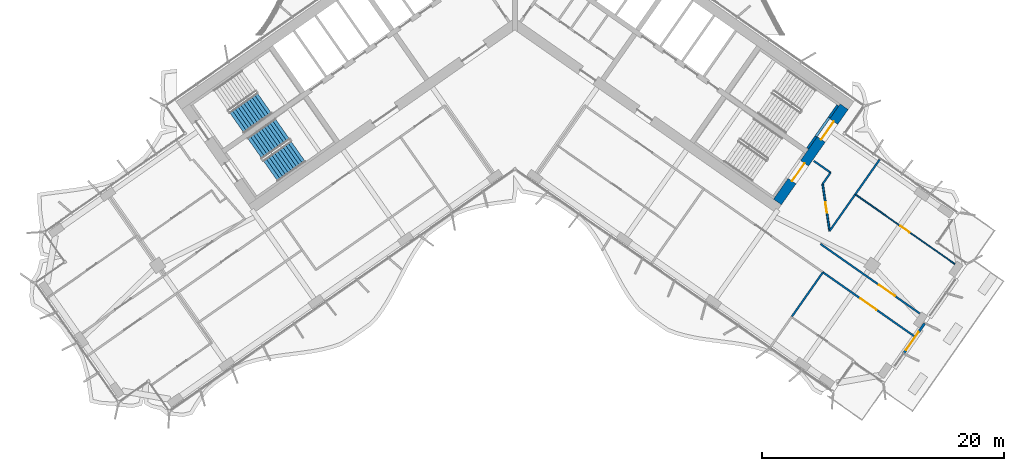
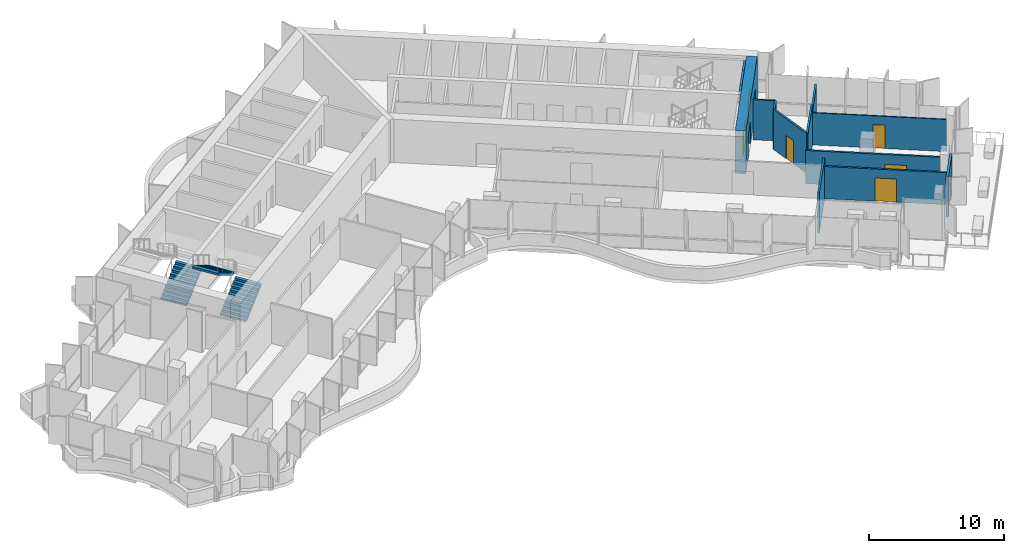
# One storey, part 15 of 22: 14 walls, 7 doors, 3 stair flights, 7 openings, 2 elements without a shape of their own.
"""IFC4 building model written with IfcOpenShell, lengths in metres."""

from ifc_helpers import new_model, si_unit, direction, frame, frame_2d, origin, place, context, subcontext, project, spatial, polyline, rectangle, outline, extrude, material, layer, layer_set, type_object, element, fill, aggregate, save


model = new_model("IFC4")

# Units and contexts
model_context = context("Model", 3, precision=1e-05, world=origin(), true_north=direction((0.0, 1.0)))
body_context = subcontext(model_context, "Body", "Model", "MODEL_VIEW")
ifc_project = project(units=[si_unit("LENGTHUNIT", "METRE"), si_unit("AREAUNIT", "SQUARE_METRE"), si_unit("VOLUMEUNIT", "CUBIC_METRE"), si_unit("PLANEANGLEUNIT", "RADIAN"), si_unit("MASSUNIT", "GRAM", prefix="KILO")], contexts=[model_context])

# Site, building, storey
site_placement = place(None, origin())
site = spatial("IfcSite", under=ifc_project, at=site_placement, CompositionType="ELEMENT")
building_placement = place(site_placement, origin())
building = spatial("IfcBuilding", under=site, at=building_placement, Name="Tel Ilan Convention Tower", CompositionType="ELEMENT")
storey_placement = place(building_placement, frame((0.0, 0.0, 143.699951171875)))
storey = spatial("IfcBuildingStorey", under=building, at=storey_placement, Name="L32", CompositionType="ELEMENT", Elevation=143.699951171875)

# Wall, openings, doors
ifc_material_1 = material(Name="Concrete C50/60", Category="concrete")
ifc_layer_1 = layer(ifc_material_1, 0.800048828125)
ifc_layer_set_1 = layer_set([ifc_layer_1], Name="Core Shear Wall 800 mm C50/60")
wall_type_1 = type_object("IfcWallType", Name="Core Shear Wall 800 mm C50/60", PredefinedType="SHEAR", material=ifc_layer_set_1)
wall_1_placement = place(storey_placement, frame((21.6748046875, -15.4208984375, 0.0), z_axis=(0.0, 0.0, 1.0), x_axis=(0.573581815061, 0.819148278049, 0.0)))
wall_1 = element("IfcWall", 1, at=wall_1_placement, inside=storey, type_object=wall_type_1, Name="L32 core wall E-end", PredefinedType="SHEAR", context=body_context, shape_type="SweptSolid", body=[
    extrude(outline(polyline([(9.599853515625, 0.400146484375), (0.0, 0.39990234375), (0.0, -0.39990234375), (9.599853515625, -0.39990234375), (9.599853515625, 0.400146484375)])), origin(), (0.0, 0.0, 1.0), 3.900146484375),
])
opening_1_placement = place(wall_1_placement, frame((6.300048828125, 0.0, 0.0)))
opening_1 = element("IfcOpeningElement", 2, at=opening_1_placement, cuts=wall_1, Name="Opening SD2603", PredefinedType="OPENING", context=body_context, shape_type="SweptSolid", body=[
    extrude(rectangle(XDim=1.800048828125, YDim=2.10009765625, at=frame_2d((0.89990234375, 1.050048828125))), frame((0.0, 0.409912109375, 0.0), z_axis=(0.0, -1.0, 0.0), x_axis=(1.0, 0.0, 0.0)), (0.0, 0.0, 1.0), 0.820068359375),
])
opening_2_placement = place(wall_1_placement, frame((2.10009765625, 0.0, 0.0)))
opening_2 = element("IfcOpeningElement", 3, at=opening_2_placement, cuts=wall_1, Name="Opening SD2604", PredefinedType="OPENING", context=body_context, shape_type="SweptSolid", body=[
    extrude(rectangle(XDim=1.800048828125, YDim=2.10009765625, at=frame_2d((0.89990234375, 1.050048828125))), frame((0.0, 0.409912109375, 0.0), z_axis=(0.0, -1.0, 0.0), x_axis=(1.0, 0.0, 0.0)), (0.0, 0.0, 1.0), 0.820068359375),
])
ifc_material_2 = material(Name="Galvanised Steel Door Leaf", Category="steel")
door_type_1 = type_object("IfcDoorType", Name="Stair Fire Door 1800 x 2100 FD60S", OperationType="NOTDEFINED", PredefinedType="DOOR", material=ifc_material_2)
door_1_placement = place(opening_1_placement, origin())
door_1 = element("IfcDoor", 4, at=door_1_placement, inside=storey, type_object=door_type_1, Name="Stair S3 door", OperationType="DOUBLE_DOOR_SINGLE_SWING", OverallHeight=2.10009765625, OverallWidth=1.800048828125, PredefinedType="DOOR", context=body_context, shape_type="SweptSolid", body=[
    extrude(rectangle(XDim=1.800048828125, YDim=2.10009765625, at=frame_2d((0.89990234375, 1.050048828125))), frame((0.0, 0.02490234375, 0.0), z_axis=(0.0, -1.0, 0.0), x_axis=(1.0, 0.0, 0.0)), (0.0, 0.0, 1.0), 0.050048828125),
])
fill(opening_1, door_1)
door_2_placement = place(opening_2_placement, origin())
door_2 = element("IfcDoor", 5, at=door_2_placement, inside=storey, type_object=door_type_1, Name="Stair S4 door", OperationType="DOUBLE_DOOR_SINGLE_SWING", OverallHeight=2.10009765625, OverallWidth=1.800048828125, PredefinedType="DOOR", context=body_context, shape_type="SweptSolid", body=[
    extrude(rectangle(XDim=1.800048828125, YDim=2.10009765625, at=frame_2d((0.89990234375, 1.050048828125))), frame((0.0, 0.02490234375, 0.0), z_axis=(0.0, -1.0, 0.0), x_axis=(1.0, 0.0, 0.0)), (0.0, 0.0, 1.0), 0.050048828125),
])
fill(opening_2, door_2)

# Wall, opening, door
ifc_material_3 = material(Name="Plasterboard on Steel Studs", Category="steel")
ifc_layer_2 = layer(ifc_material_3, 0.14990234375)
ifc_layer_set_2 = layer_set([ifc_layer_2], Name="Fire-rated Partition 150 EI 60")
wall_type_2 = type_object("IfcWallType", Name="Fire-rated Partition 150 EI 60", PredefinedType="PARTITIONING", material=ifc_layer_set_2)
wall_2_placement = place(storey_placement, frame((25.22802734375, -18.8857421875, 0.0), z_axis=(0.0, 0.0, 1.0), x_axis=(0.819155080891, -0.573572099609, 0.0)))
wall_2 = element("IfcWall", 6, at=wall_2_placement, inside=storey, type_object=wall_type_2, Name="Partition 001", PredefinedType="PARTITIONING", context=body_context, shape_type="SweptSolid", body=[
    extrude(rectangle(XDim=10.001953125, YDim=0.14990234375, at=frame_2d((5.0009765625, 0.0))), origin(), (0.0, 0.0, 1.0), 3.0),
])
opening_3_placement = place(wall_2_placement, frame((5.90087890625, 0.0, 0.0)))
opening_3 = element("IfcOpeningElement", 7, at=opening_3_placement, cuts=wall_2, Name="Opening L32-015", PredefinedType="OPENING", context=body_context, shape_type="SweptSolid", body=[
    extrude(rectangle(XDim=1.60009765625, YDim=2.10009765625, at=frame_2d((0.800048828125, 1.050048828125))), frame((0.0, 0.0849609375, 0.0), z_axis=(0.0, -1.0, 0.0), x_axis=(1.0, 0.0, 0.0)), (0.0, 0.0, 1.0), 0.169921875),
])
ifc_material_4 = material(Name="Timber Door Leaf in Steel Frame", Category="steel")
door_type_2 = type_object("IfcDoorType", Name="Tenant Suite Entrance Fire Door 1600x2100", OperationType="NOTDEFINED", PredefinedType="DOOR", material=ifc_material_4)
door_3_placement = place(opening_3_placement, origin())
door_3 = element("IfcDoor", 8, at=door_3_placement, inside=storey, type_object=door_type_2, Name="Door L32-015", OperationType="DOUBLE_DOOR_SINGLE_SWING", OverallHeight=2.10009765625, OverallWidth=1.60009765625, PredefinedType="DOOR", context=body_context, shape_type="SweptSolid", body=[
    extrude(rectangle(XDim=1.60009765625, YDim=2.10009765625, at=frame_2d((0.800048828125, 1.050048828125))), frame((0.0, 0.02490234375, 0.0), z_axis=(0.0, -1.0, 0.0), x_axis=(1.0, 0.0, 0.0)), (0.0, 0.0, 1.0), 0.050048828125),
])
fill(opening_3, door_3)

wall_3_placement = place(storey_placement, frame((32.962158203125, -26.49853515625, 0.0), z_axis=(0.0, 0.0, 1.0), x_axis=(-0.81915089424, 0.573578078788, 0.0)))
wall_3 = element("IfcWall", 9, at=wall_3_placement, inside=storey, type_object=wall_type_2, Name="Partition 004", PredefinedType="PARTITIONING", context=body_context, shape_type="SweptSolid", body=[
    extrude(rectangle(XDim=9.201904296875, YDim=0.14990234375, at=frame_2d((4.60107421875, 0.0))), origin(), (0.0, 0.0, 1.0), 2.900146484375),
])
opening_4_placement = place(wall_3_placement, frame((3.801025390625, 0.0, 0.0)))
opening_4 = element("IfcOpeningElement", 10, at=opening_4_placement, cuts=wall_3, Name="Opening L32-013", PredefinedType="OPENING", context=body_context, shape_type="SweptSolid", body=[
    extrude(rectangle(XDim=1.60009765625, YDim=2.10009765625, at=frame_2d((0.800048828125, 1.050048828125))), frame((0.0, 0.0849609375, 0.0), z_axis=(0.0, -1.0, 0.0), x_axis=(1.0, 0.0, 0.0)), (0.0, 0.0, 1.0), 0.169921875),
])
door_4_placement = place(opening_4_placement, origin())
door_4 = element("IfcDoor", 11, at=door_4_placement, inside=storey, type_object=door_type_2, Name="Door L32-013", OperationType="DOUBLE_DOOR_SINGLE_SWING", OverallHeight=2.10009765625, OverallWidth=1.60009765625, PredefinedType="DOOR", context=body_context, shape_type="SweptSolid", body=[
    extrude(rectangle(XDim=1.60009765625, YDim=2.10009765625, at=frame_2d((0.800048828125, 1.050048828125))), frame((0.0, 0.02490234375, 0.0), z_axis=(0.0, -1.0, 0.0), x_axis=(1.0, 0.0, 0.0)), (0.0, 0.0, 1.0), 0.050048828125),
])
fill(opening_4, door_4)

# Walls
wall_4_placement = place(storey_placement, frame((30.10498046875, -11.924072265625, 0.0), z_axis=(0.0, 0.0, 1.0), x_axis=(-0.573560622794, -0.819163116834, 0.0)))
element("IfcWall", 12, at=wall_4_placement, inside=storey, type_object=wall_type_2, Name="Partition 011", PredefinedType="PARTITIONING", context=body_context, shape_type="SweptSolid", body=[
    extrude(rectangle(XDim=3.5009765625, YDim=0.14990234375, at=frame_2d((1.75048828125, 0.0))), origin(), (0.0, 0.0, 1.0), 3.0),
])
wall_5_placement = place(storey_placement, frame((28.0986328125, -14.789306640625, 0.0), z_axis=(0.0, 0.0, 1.0), x_axis=(-0.573577686589, -0.819151168862, 0.0)))
element("IfcWall", 13, at=wall_5_placement, inside=storey, type_object=wall_type_2, Name="Partition 012", PredefinedType="PARTITIONING", context=body_context, shape_type="SweptSolid", body=[
    extrude(rectangle(XDim=3.693359375, YDim=0.14990234375, at=frame_2d((1.8466796875, 0.0))), origin(), (0.0, 0.0, 1.0), 3.6201171875),
])

# Wall, opening, door
wall_6_placement = place(storey_placement, frame((25.980224609375, -17.814697265625, 0.0), z_axis=(0.0, 0.0, 1.0), x_axis=(-0.146956602865, 0.989142940567, 0.0)))
wall_6 = element("IfcWall", 14, at=wall_6_placement, inside=storey, type_object=wall_type_2, Name="Partition 013", PredefinedType="PARTITIONING", context=body_context, shape_type="SweptSolid", body=[
    extrude(rectangle(XDim=3.92578125, YDim=0.14990234375, at=frame_2d((1.962890625, 0.0))), origin(), (0.0, 0.0, 1.0), 3.6201171875),
])
opening_5_placement = place(wall_6_placement, frame((1.512939453125, 0.0, 0.0)))
opening_5 = element("IfcOpeningElement", 15, at=opening_5_placement, cuts=wall_6, Name="Opening L32-017", PredefinedType="OPENING", context=body_context, shape_type="SweptSolid", body=[
    extrude(rectangle(XDim=0.89990234375, YDim=2.10009765625, at=frame_2d((0.449951171875, 1.050048828125))), frame((0.0, 0.0849609375, 0.0), z_axis=(0.0, -1.0, 0.0), x_axis=(1.0, 0.0, 0.0)), (0.0, 0.0, 1.0), 0.169921875),
])
ifc_material_5 = material(Name="Timber Door Leaf in Steel Frame", Category="steel")
door_type_3 = type_object("IfcDoorType", Name="Room Fire Door 900x2100", OperationType="NOTDEFINED", PredefinedType="DOOR", material=ifc_material_5)
door_5_placement = place(opening_5_placement, origin())
door_5 = element("IfcDoor", 16, at=door_5_placement, inside=storey, type_object=door_type_3, Name="Door L32-017", OperationType="SINGLE_SWING_LEFT", OverallHeight=2.10009765625, OverallWidth=0.89990234375, PredefinedType="DOOR", context=body_context, shape_type="SweptSolid", body=[
    extrude(rectangle(XDim=0.89990234375, YDim=2.10009765625, at=frame_2d((0.449951171875, 1.050048828125))), frame((0.0, 0.02490234375, 0.0), z_axis=(0.0, -1.0, 0.0), x_axis=(1.0, 0.0, 0.0)), (0.0, 0.0, 1.0), 0.050048828125),
])
fill(opening_5, door_5)

# Walls
wall_7_placement = place(storey_placement, frame((25.4033203125, -13.931640625, 0.0), z_axis=(0.0, 0.0, 1.0), x_axis=(0.573462344363, 0.819231920519, 0.0)))
element("IfcWall", 17, at=wall_7_placement, inside=storey, type_object=wall_type_2, Name="Partition 014", PredefinedType="PARTITIONING", context=body_context, shape_type="SweptSolid", body=[
    extrude(rectangle(XDim=1.141357421875, YDim=0.14990234375, at=frame_2d((0.57080078125, 0.0))), origin(), (0.0, 0.0, 1.0), 3.6201171875),
])
wall_8_placement = place(storey_placement, frame((26.057861328125, -12.99658203125, 0.0), z_axis=(0.0, 0.0, 1.0), x_axis=(-0.819109000826, 0.573637903879, 0.0)))
element("IfcWall", 18, at=wall_8_placement, inside=storey, type_object=wall_type_2, Name="Partition 015", PredefinedType="PARTITIONING", context=body_context, shape_type="SweptSolid", body=[
    extrude(rectangle(XDim=1.679931640625, YDim=0.14990234375, at=frame_2d((0.83984375, 0.0))), origin(), (0.0, 0.0, 1.0), 3.6201171875),
])
wall_9_placement = place(storey_placement, frame((25.426025390625, -21.2216796875, 0.0), z_axis=(0.0, 0.0, 1.0), x_axis=(-0.573589723117, -0.819142740634, 0.0)))
element("IfcWall", 19, at=wall_9_placement, inside=storey, type_object=wall_type_2, Name="Partition 023", PredefinedType="PARTITIONING", context=body_context, shape_type="SweptSolid", body=[
    extrude(rectangle(XDim=4.501953125, YDim=0.14990234375, at=frame_2d((2.2509765625, 0.0))), origin(), (0.0, 0.0, 1.0), 3.6201171875),
])

# Wall, opening, door
ifc_material_6 = material(Name="Plasterboard on Steel Studs", Category="steel")
ifc_layer_3 = layer(ifc_material_6, 0.10009765625)
ifc_layer_set_3 = layer_set([ifc_layer_3], Name="Plasterboard Partition 100")
wall_type_3 = type_object("IfcWallType", Name="Plasterboard Partition 100", PredefinedType="PARTITIONING", material=ifc_layer_set_3)
wall_10_placement = place(storey_placement, frame((28.09814453125, -14.790283203125, 0.0), z_axis=(0.0, 0.0, 1.0), x_axis=(0.819153008203, -0.573575059736, 0.0)))
wall_10 = element("IfcWall", 20, at=wall_10_placement, inside=storey, type_object=wall_type_3, Name="Partition 016", PredefinedType="PARTITIONING", context=body_context, shape_type="SweptSolid", body=[
    extrude(rectangle(XDim=10.030029296875, YDim=0.10009765625, at=frame_2d((5.01513671875, 0.0))), origin(), (0.0, 0.0, 1.0), 2.900146484375),
])
opening_6_placement = place(wall_10_placement, frame((4.56494140625, 0.0, 0.0)))
opening_6 = element("IfcOpeningElement", 21, at=opening_6_placement, cuts=wall_10, Name="Opening L32-016", PredefinedType="OPENING", context=body_context, shape_type="SweptSolid", body=[
    extrude(rectangle(XDim=0.89990234375, YDim=2.10009765625, at=frame_2d((0.449951171875, 1.050048828125))), frame((0.0, 0.06005859375, 0.0), z_axis=(0.0, -1.0, 0.0), x_axis=(1.0, 0.0, 0.0)), (0.0, 0.0, 1.0), 0.1201171875),
])
ifc_material_7 = material(Name="Timber Door Leaf in Steel Frame", Category="steel")
door_type_4 = type_object("IfcDoorType", Name="Room Timber Door 900x2100", OperationType="NOTDEFINED", PredefinedType="DOOR", material=ifc_material_7)
door_6_placement = place(opening_6_placement, origin())
door_6 = element("IfcDoor", 22, at=door_6_placement, inside=storey, type_object=door_type_4, Name="Door L32-016", OperationType="SINGLE_SWING_RIGHT", OverallHeight=2.10009765625, OverallWidth=0.89990234375, PredefinedType="DOOR", context=body_context, shape_type="SweptSolid", body=[
    extrude(rectangle(XDim=0.89990234375, YDim=2.10009765625, at=frame_2d((0.449951171875, 1.050048828125))), frame((0.0, 0.02490234375, 0.0), z_axis=(0.0, -1.0, 0.0), x_axis=(1.0, 0.0, 0.0)), (0.0, 0.0, 1.0), 0.050048828125),
])
fill(opening_6, door_6)

# Walls
ifc_material_8 = material(Name="Concrete C30/37", Category="concrete")
ifc_layer_4 = layer(ifc_material_8, 0.199951171875)
ifc_layer_set_4 = layer_set([ifc_layer_4], Name="Stair and Shaft Lining Wall 200 mm C30/37")
wall_type_4 = type_object("IfcWallType", Name="Stair and Shaft Lining Wall 200 mm C30/37", PredefinedType="SOLIDWALL", material=ifc_layer_set_4)
wall_11_placement = place(storey_placement, frame((24.16162109375, -10.99755859375, 0.0), z_axis=(0.0, 0.0, 1.0), x_axis=(0.573612502218, 0.819126789514, 0.0)))
element("IfcWall", 23, at=wall_11_placement, inside=storey, type_object=wall_type_4, Name="L32 core wall lining-S3-u1-0", PredefinedType="SOLIDWALL", context=body_context, shape_type="SweptSolid", body=[
    extrude(rectangle(XDim=1.2001953125, YDim=0.199951171875, at=frame_2d((0.60009765625, 0.0))), origin(), (0.0, 0.0, 1.0), 3.6201171875),
])
wall_12_placement = place(storey_placement, frame((25.939697265625, -8.4580078125, 0.0), z_axis=(0.0, 0.0, 1.0), x_axis=(0.573619628835, 0.819121798889, 0.0)))
element("IfcWall", 24, at=wall_12_placement, inside=storey, type_object=wall_type_4, Name="L32 core wall lining-S3-u1-1", PredefinedType="SOLIDWALL", context=body_context, shape_type="SweptSolid", body=[
    extrude(rectangle(XDim=1.25, YDim=0.199951171875, at=frame_2d((0.625, 0.0))), origin(), (0.0, 0.0, 1.0), 3.6201171875),
])
wall_13_placement = place(storey_placement, frame((24.85009765625, -10.014404296875, 2.150146484375), z_axis=(0.0, 0.0, 1.0), x_axis=(0.573505465124, 0.819201734296, 0.0)))
element("IfcWall", 25, at=wall_13_placement, inside=storey, type_object=wall_type_4, Name="L32 core wall lining-S3-u1-lintel", PredefinedType="SOLIDWALL", context=body_context, shape_type="SweptSolid", body=[
    extrude(rectangle(XDim=1.89990234375, YDim=0.199951171875, at=frame_2d((0.949951171875, 0.0))), origin(), (0.0, 0.0, 1.0), 1.469970703125),
])

# Wall, opening, door
ifc_material_9 = material(Name="Aluminium composite cladding, bronze anodised on steel studs", Category="steel")
ifc_layer_5 = layer(ifc_material_9, 0.199951171875)
ifc_layer_set_5 = layer_set([ifc_layer_5], Name="TERRACE DOOR BAY WALL 200")
wall_type_5 = type_object("IfcWallType", Name="TERRACE DOOR BAY WALL 200", PredefinedType="SOLIDWALL", material=ifc_layer_set_5)
wall_14_placement = place(storey_placement, frame((32.114990234375, -27.883056640625, 0.0), z_axis=(0.0, 0.0, 1.0), x_axis=(0.573511662293, 0.819197395756, 0.0)))
wall_14 = element("IfcWall", 26, at=wall_14_placement, inside=storey, type_object=wall_type_5, Name="Terrace door bay", PredefinedType="SOLIDWALL", context=body_context, shape_type="SweptSolid", body=[
    extrude(rectangle(XDim=2.989990234375, YDim=0.199951171875, at=frame_2d((1.4951171875, 0.0))), origin(), (0.0, 0.0, 1.0), 3.6201171875),
])
opening_7_placement = place(wall_14_placement, frame((0.294921875, 0.0, 0.0)))
opening_7 = element("IfcOpeningElement", 27, at=opening_7_placement, cuts=wall_14, Name="Opening T32.01", PredefinedType="OPENING", context=body_context, shape_type="SweptSolid", body=[
    extrude(rectangle(XDim=1.800048828125, YDim=2.39990234375, at=frame_2d((0.89990234375, 1.199951171875))), frame((0.0, 0.10986328125, 0.0), z_axis=(0.0, -1.0, 0.0), x_axis=(1.0, 0.0, 0.0)), (0.0, 0.0, 1.0), 0.219970703125),
])
ifc_material_10 = material(Name="Aluminium framed glazed door, bronze anodised", Category="aluminium")
door_type_5 = type_object("IfcDoorType", Name="TERRACE DOUBLE DOOR 1800x2400", OperationType="NOTDEFINED", PredefinedType="DOOR", material=ifc_material_10)
door_7_placement = place(opening_7_placement, origin())
door_7 = element("IfcDoor", 28, at=door_7_placement, inside=storey, type_object=door_type_5, Name="Terrace door", OperationType="DOUBLE_DOOR_DOUBLE_SWING", OverallHeight=2.39990234375, OverallWidth=1.800048828125, PredefinedType="DOOR", context=body_context, shape_type="SweptSolid", body=[
    extrude(rectangle(XDim=1.800048828125, YDim=2.39990234375, at=frame_2d((0.89990234375, 1.199951171875))), frame((0.0, 0.02490234375, 0.0), z_axis=(0.0, -1.0, 0.0), x_axis=(1.0, 0.0, 0.0)), (0.0, 0.0, 1.0), 0.050048828125),
])
fill(opening_7, door_7)

# Stair, stair flight
ifc_material_11 = material(Name="Concrete C40/50", Category="concrete")
stair_type = type_object("IfcStairType", Name="Pressurised Exit Stair 22 risers 177 mm", PredefinedType="HALF_TURN_STAIR", material=ifc_material_11)
stair_1_placement = place(storey_placement, origin())
stair_1 = element("IfcStair", 29, at=stair_1_placement, inside=storey, type_object=stair_type, Name="L32 Pressurised Stair S1", PredefinedType="HALF_TURN_STAIR")
ifc_material_12 = material(Name="Precast Concrete C40/50", Category="concrete")
stair_flight_type = type_object("IfcStairFlightType", Name="Concrete Stair Flight 2100 mm 22 risers 177 mm", PredefinedType="STRAIGHT", material=ifc_material_12)
stair_flight_1_placement = place(storey_placement, frame((-22.9619140625, -8.87548828125, 0.0), z_axis=(0.0, 0.0, 1.0), x_axis=(0.819152044289, 0.573576436351, 0.0)))
stair_flight_1 = element("IfcStairFlight", 30, at=stair_flight_1_placement, type_object=stair_flight_type, Name="S1 flight 1", NumberOfRisers=11, NumberOfTreads=10, PredefinedType="STRAIGHT", RiserHeight=0.177272727, TreadLength=0.28, context=body_context, shape_type="SweptSolid", body=[
    extrude(outline(polyline([(0.0, 0.0), (0.0, 0.17724609375), (0.280029296875, 0.17724609375), (0.280029296875, 0.3544921875), (0.56005859375, 0.3544921875), (0.56005859375, 0.53173828125), (0.840087890625, 0.53173828125), (0.840087890625, 0.708984375), (1.1201171875, 0.708984375), (1.1201171875, 0.886474609375), (1.39990234375, 0.886474609375), (1.39990234375, 1.063720703125), (1.679931640625, 1.063720703125), (1.679931640625, 1.240966796875), (1.9599609375, 1.240966796875), (1.9599609375, 1.418212890625), (2.239990234375, 1.418212890625), (2.239990234375, 1.595458984375), (2.52001953125, 1.595458984375), (2.52001953125, 1.772705078125), (2.800048828125, 1.772705078125), (2.800048828125, 1.949951171875), (2.800048828125, 1.59521484375), (0.2802734375, 0.0), (0.0, 0.0)])), frame((0.0, -0.100341796875, 0.0), z_axis=(0.0, -1.0, 0.0), x_axis=(1.0, 0.0, 0.0)), (0.0, 0.0, 1.0), 0.94970703125),
    extrude(outline(polyline([(0.0, 0.0), (0.0, 0.17724609375), (0.280029296875, 0.17724609375), (0.280029296875, 0.3544921875), (0.56005859375, 0.3544921875), (0.56005859375, 0.53173828125), (0.840087890625, 0.53173828125), (0.840087890625, 0.708984375), (1.1201171875, 0.708984375), (1.1201171875, 0.886474609375), (1.39990234375, 0.886474609375), (1.39990234375, 1.063720703125), (1.679931640625, 1.063720703125), (1.679931640625, 1.240966796875), (1.9599609375, 1.240966796875), (1.9599609375, 1.418212890625), (2.239990234375, 1.418212890625), (2.239990234375, 1.595458984375), (2.52001953125, 1.595458984375), (2.52001953125, 1.772705078125), (2.800048828125, 1.772705078125), (2.800048828125, 1.949951171875), (2.800048828125, 1.59521484375), (0.2802734375, 0.0), (0.0, 0.0)])), frame((0.0, -0.000244140625, 0.0), z_axis=(0.0, -1.0, 0.0), x_axis=(1.0, 0.0, 0.0)), (0.0, 0.0, 1.0), 0.099609375),
    extrude(outline(polyline([(0.0, 0.0), (0.0, 0.17724609375), (0.280029296875, 0.17724609375), (0.280029296875, 0.3544921875), (0.56005859375, 0.3544921875), (0.56005859375, 0.53173828125), (0.840087890625, 0.53173828125), (0.840087890625, 0.708984375), (1.1201171875, 0.708984375), (1.1201171875, 0.886474609375), (1.39990234375, 0.886474609375), (1.39990234375, 1.063720703125), (1.679931640625, 1.063720703125), (1.679931640625, 1.240966796875), (1.9599609375, 1.240966796875), (1.9599609375, 1.418212890625), (2.239990234375, 1.418212890625), (2.239990234375, 1.595458984375), (2.52001953125, 1.595458984375), (2.52001953125, 1.772705078125), (2.800048828125, 1.772705078125), (2.800048828125, 1.949951171875), (2.800048828125, 1.59521484375), (0.2802734375, 0.0), (0.0, 0.0)])), frame((0.0, 0.099853515625, 0.0), z_axis=(0.0, -1.0, 0.0), x_axis=(1.0, 0.0, 0.0)), (0.0, 0.0, 1.0), 0.099609375),
    extrude(outline(polyline([(0.0, 0.0), (0.0, 0.17724609375), (0.280029296875, 0.17724609375), (0.280029296875, 0.3544921875), (0.56005859375, 0.3544921875), (0.56005859375, 0.53173828125), (0.840087890625, 0.53173828125), (0.840087890625, 0.708984375), (1.1201171875, 0.708984375), (1.1201171875, 0.886474609375), (1.39990234375, 0.886474609375), (1.39990234375, 1.063720703125), (1.679931640625, 1.063720703125), (1.679931640625, 1.240966796875), (1.9599609375, 1.240966796875), (1.9599609375, 1.418212890625), (2.239990234375, 1.418212890625), (2.239990234375, 1.595458984375), (2.52001953125, 1.595458984375), (2.52001953125, 1.772705078125), (2.800048828125, 1.772705078125), (2.800048828125, 1.949951171875), (2.800048828125, 1.59521484375), (0.2802734375, 0.0), (0.0, 0.0)])), frame((0.0, 1.050048828125, 0.0), z_axis=(0.0, -1.0, 0.0), x_axis=(1.0, 0.0, 0.0)), (0.0, 0.0, 1.0), 0.94970703125),
])
aggregate(stair_1, [stair_flight_1])

# Stair, stair flights
stair_2_placement = place(storey_placement, origin())
stair_2 = element("IfcStair", 31, at=stair_2_placement, inside=storey, type_object=stair_type, Name="L32 Pressurised Stair S2", PredefinedType="HALF_TURN_STAIR")
stair_flight_2_placement = place(storey_placement, frame((-20.179931640625, -12.848388671875, 0.0), z_axis=(0.0, 0.0, 1.0), x_axis=(0.819152044289, 0.573576436351, 0.0)))
stair_flight_2 = element("IfcStairFlight", 32, at=stair_flight_2_placement, type_object=stair_flight_type, Name="S2 flight 1", NumberOfRisers=11, NumberOfTreads=10, PredefinedType="STRAIGHT", RiserHeight=0.177272727, TreadLength=0.28, context=body_context, shape_type="SweptSolid", body=[
    extrude(outline(polyline([(0.0, 0.0), (0.0, 0.17724609375), (0.280029296875, 0.17724609375), (0.280029296875, 0.3544921875), (0.56005859375, 0.3544921875), (0.56005859375, 0.53173828125), (0.840087890625, 0.53173828125), (0.840087890625, 0.708984375), (1.1201171875, 0.708984375), (1.1201171875, 0.886474609375), (1.39990234375, 0.886474609375), (1.39990234375, 1.063720703125), (1.679931640625, 1.063720703125), (1.679931640625, 1.240966796875), (1.9599609375, 1.240966796875), (1.9599609375, 1.418212890625), (2.239990234375, 1.418212890625), (2.239990234375, 1.595458984375), (2.52001953125, 1.595458984375), (2.52001953125, 1.772705078125), (2.800048828125, 1.772705078125), (2.800048828125, 1.949951171875), (2.800048828125, 1.59521484375), (0.2802734375, 0.0), (0.0, 0.0)])), frame((0.0, -0.100341796875, 0.0), z_axis=(0.0, -1.0, 0.0), x_axis=(1.0, 0.0, 0.0)), (0.0, 0.0, 1.0), 0.94970703125),
    extrude(outline(polyline([(0.0, 0.0), (0.0, 0.17724609375), (0.280029296875, 0.17724609375), (0.280029296875, 0.3544921875), (0.56005859375, 0.3544921875), (0.56005859375, 0.53173828125), (0.840087890625, 0.53173828125), (0.840087890625, 0.708984375), (1.1201171875, 0.708984375), (1.1201171875, 0.886474609375), (1.39990234375, 0.886474609375), (1.39990234375, 1.063720703125), (1.679931640625, 1.063720703125), (1.679931640625, 1.240966796875), (1.9599609375, 1.240966796875), (1.9599609375, 1.418212890625), (2.239990234375, 1.418212890625), (2.239990234375, 1.595458984375), (2.52001953125, 1.595458984375), (2.52001953125, 1.772705078125), (2.800048828125, 1.772705078125), (2.800048828125, 1.949951171875), (2.800048828125, 1.59521484375), (0.2802734375, 0.0), (0.0, 0.0)])), frame((0.0, -0.000244140625, 0.0), z_axis=(0.0, -1.0, 0.0), x_axis=(1.0, 0.0, 0.0)), (0.0, 0.0, 1.0), 0.099609375),
    extrude(outline(polyline([(0.0, 0.0), (0.0, 0.17724609375), (0.280029296875, 0.17724609375), (0.280029296875, 0.3544921875), (0.56005859375, 0.3544921875), (0.56005859375, 0.53173828125), (0.840087890625, 0.53173828125), (0.840087890625, 0.708984375), (1.1201171875, 0.708984375), (1.1201171875, 0.886474609375), (1.39990234375, 0.886474609375), (1.39990234375, 1.063720703125), (1.679931640625, 1.063720703125), (1.679931640625, 1.240966796875), (1.9599609375, 1.240966796875), (1.9599609375, 1.418212890625), (2.239990234375, 1.418212890625), (2.239990234375, 1.595458984375), (2.52001953125, 1.595458984375), (2.52001953125, 1.772705078125), (2.800048828125, 1.772705078125), (2.800048828125, 1.949951171875), (2.800048828125, 1.59521484375), (0.2802734375, 0.0), (0.0, 0.0)])), frame((0.0, 0.099853515625, 0.0), z_axis=(0.0, -1.0, 0.0), x_axis=(1.0, 0.0, 0.0)), (0.0, 0.0, 1.0), 0.099609375),
    extrude(outline(polyline([(0.0, 0.0), (0.0, 0.17724609375), (0.280029296875, 0.17724609375), (0.280029296875, 0.3544921875), (0.56005859375, 0.3544921875), (0.56005859375, 0.53173828125), (0.840087890625, 0.53173828125), (0.840087890625, 0.708984375), (1.1201171875, 0.708984375), (1.1201171875, 0.886474609375), (1.39990234375, 0.886474609375), (1.39990234375, 1.063720703125), (1.679931640625, 1.063720703125), (1.679931640625, 1.240966796875), (1.9599609375, 1.240966796875), (1.9599609375, 1.418212890625), (2.239990234375, 1.418212890625), (2.239990234375, 1.595458984375), (2.52001953125, 1.595458984375), (2.52001953125, 1.772705078125), (2.800048828125, 1.772705078125), (2.800048828125, 1.949951171875), (2.800048828125, 1.59521484375), (0.2802734375, 0.0), (0.0, 0.0)])), frame((0.0, 1.050048828125, 0.0), z_axis=(0.0, -1.0, 0.0), x_axis=(1.0, 0.0, 0.0)), (0.0, 0.0, 1.0), 0.94970703125),
])
stair_flight_3_placement = place(storey_placement, frame((-19.177001953125, -9.399169921875, 1.949951171875), z_axis=(0.0, 0.0, 1.0), x_axis=(-0.819152044289, -0.573576436351, 0.0)))
stair_flight_3 = element("IfcStairFlight", 33, at=stair_flight_3_placement, type_object=stair_flight_type, Name="S2 flight 2", NumberOfRisers=11, NumberOfTreads=10, PredefinedType="STRAIGHT", RiserHeight=0.177272727, TreadLength=0.28, context=body_context, shape_type="SweptSolid", body=[
    extrude(outline(polyline([(0.0, 0.0), (0.0, 0.17724609375), (0.280029296875, 0.17724609375), (0.280029296875, 0.3544921875), (0.56005859375, 0.3544921875), (0.56005859375, 0.53173828125), (0.840087890625, 0.53173828125), (0.840087890625, 0.708984375), (1.1201171875, 0.708984375), (1.1201171875, 0.886474609375), (1.39990234375, 0.886474609375), (1.39990234375, 1.063720703125), (1.679931640625, 1.063720703125), (1.679931640625, 1.240966796875), (1.9599609375, 1.240966796875), (1.9599609375, 1.418212890625), (2.239990234375, 1.418212890625), (2.239990234375, 1.595458984375), (2.52001953125, 1.595458984375), (2.52001953125, 1.772705078125), (2.800048828125, 1.772705078125), (2.800048828125, 1.949951171875), (2.800048828125, 1.59521484375), (0.2802734375, 0.0), (0.0, 0.0)])), frame((0.0, -0.100341796875, 0.0), z_axis=(0.0, -1.0, 0.0), x_axis=(1.0, 0.0, 0.0)), (0.0, 0.0, 1.0), 0.94970703125),
    extrude(outline(polyline([(0.0, 0.0), (0.0, 0.17724609375), (0.280029296875, 0.17724609375), (0.280029296875, 0.3544921875), (0.56005859375, 0.3544921875), (0.56005859375, 0.53173828125), (0.840087890625, 0.53173828125), (0.840087890625, 0.708984375), (1.1201171875, 0.708984375), (1.1201171875, 0.886474609375), (1.39990234375, 0.886474609375), (1.39990234375, 1.063720703125), (1.679931640625, 1.063720703125), (1.679931640625, 1.240966796875), (1.9599609375, 1.240966796875), (1.9599609375, 1.418212890625), (2.239990234375, 1.418212890625), (2.239990234375, 1.595458984375), (2.52001953125, 1.595458984375), (2.52001953125, 1.772705078125), (2.800048828125, 1.772705078125), (2.800048828125, 1.949951171875), (2.800048828125, 1.59521484375), (0.2802734375, 0.0), (0.0, 0.0)])), frame((0.0, -0.000244140625, 0.0), z_axis=(0.0, -1.0, 0.0), x_axis=(1.0, 0.0, 0.0)), (0.0, 0.0, 1.0), 0.099609375),
    extrude(outline(polyline([(0.0, 0.0), (0.0, 0.17724609375), (0.280029296875, 0.17724609375), (0.280029296875, 0.3544921875), (0.56005859375, 0.3544921875), (0.56005859375, 0.53173828125), (0.840087890625, 0.53173828125), (0.840087890625, 0.708984375), (1.1201171875, 0.708984375), (1.1201171875, 0.886474609375), (1.39990234375, 0.886474609375), (1.39990234375, 1.063720703125), (1.679931640625, 1.063720703125), (1.679931640625, 1.240966796875), (1.9599609375, 1.240966796875), (1.9599609375, 1.418212890625), (2.239990234375, 1.418212890625), (2.239990234375, 1.595458984375), (2.52001953125, 1.595458984375), (2.52001953125, 1.772705078125), (2.800048828125, 1.772705078125), (2.800048828125, 1.949951171875), (2.800048828125, 1.59521484375), (0.2802734375, 0.0), (0.0, 0.0)])), frame((0.0, 0.099853515625, 0.0), z_axis=(0.0, -1.0, 0.0), x_axis=(1.0, 0.0, 0.0)), (0.0, 0.0, 1.0), 0.099609375),
    extrude(outline(polyline([(0.0, 0.0), (0.0, 0.17724609375), (0.280029296875, 0.17724609375), (0.280029296875, 0.3544921875), (0.56005859375, 0.3544921875), (0.56005859375, 0.53173828125), (0.840087890625, 0.53173828125), (0.840087890625, 0.708984375), (1.1201171875, 0.708984375), (1.1201171875, 0.886474609375), (1.39990234375, 0.886474609375), (1.39990234375, 1.063720703125), (1.679931640625, 1.063720703125), (1.679931640625, 1.240966796875), (1.9599609375, 1.240966796875), (1.9599609375, 1.418212890625), (2.239990234375, 1.418212890625), (2.239990234375, 1.595458984375), (2.52001953125, 1.595458984375), (2.52001953125, 1.772705078125), (2.800048828125, 1.772705078125), (2.800048828125, 1.949951171875), (2.800048828125, 1.59521484375), (0.2802734375, 0.0), (0.0, 0.0)])), frame((0.0, 1.050048828125, 0.0), z_axis=(0.0, -1.0, 0.0), x_axis=(1.0, 0.0, 0.0)), (0.0, 0.0, 1.0), 0.94970703125),
])
aggregate(stair_2, [stair_flight_2, stair_flight_3])

save(model, "model.ifc")
